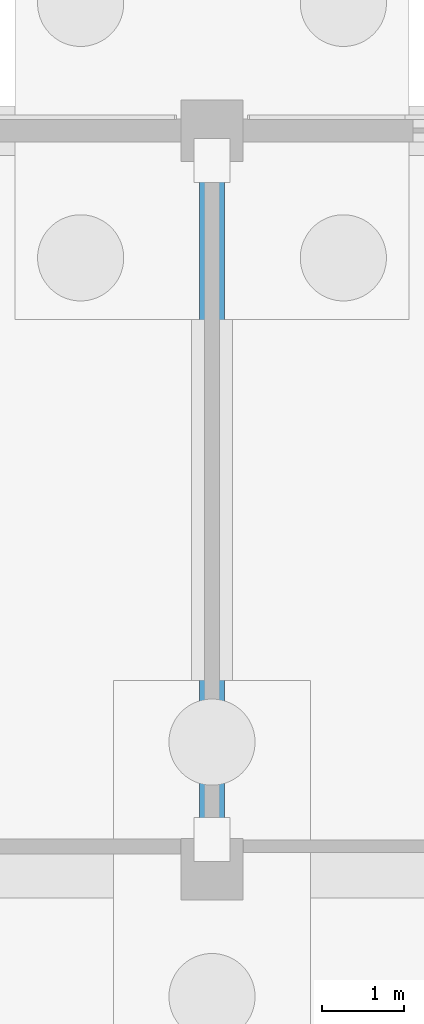
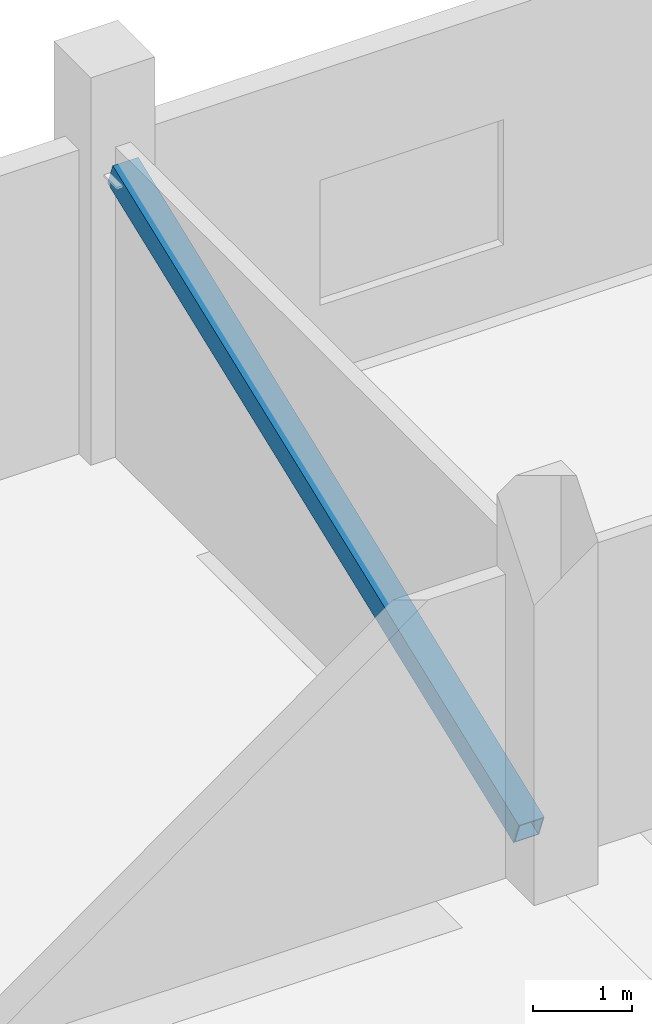
# One storey, part 40 of 82: 1 member.
"""IFC4 building model written with IfcOpenShell, lengths in metres."""

import ifcopenshell
import ifcopenshell.guid

model = None  # the IFC model being written
_history = None  # IfcOwnerHistory: only IFC2X3 demands one
_inside = {}  # id of a spatial element -> (the spatial element, [elements in it])
_under = {}  # id of a project, library or spatial element -> (it, [spatial elements below it])
_declared = {}  # id of a project -> (the project, [libraries it declares])
_typed = {}  # id of a type object -> (the type object, [elements of that type])
_made_of = {}  # id of a material, layer set ... -> (it, [elements and type objects made of it])


def new_model(schema):
    """Start an empty IFC model of exactly this schema.

    Asked for "IFC4X3", IfcOpenShell would pick the latest addendum, in which some entities
    have other attributes; the version numbers below select the first issue.
    IFC2X3 requires an IfcOwnerHistory on every rooted entity: one is made here for all.
    """
    global model, _history
    if schema == "IFC4X3":
        model = ifcopenshell.file(schema_version=(4, 3, 0, 0))
    else:
        model = ifcopenshell.file(schema=schema)
    _inside.clear()
    _under.clear()
    _declared.clear()
    _typed.clear()
    _made_of.clear()
    _history = None
    if model.schema == "IFC2X3":
        org = make("IfcOrganization", Name="unknown")
        user = make(
            "IfcPersonAndOrganization",
            ThePerson=make("IfcPerson", FamilyName="unknown"),
            TheOrganization=org,
        )
        app = make(
            "IfcApplication",
            ApplicationDeveloper=org,
            Version="unknown",
            ApplicationFullName="unknown",
            ApplicationIdentifier="unknown",
        )
        _history = make(
            "IfcOwnerHistory",
            OwningUser=user,
            OwningApplication=app,
            ChangeAction="ADDED",
            CreationDate=0,
        )
    return model


def make(cls, **values):
    """One entity of the class cls with the attributes given. An attribute that is None is left unset."""
    return model.create_entity(
        cls, **{name: value for name, value in values.items() if value is not None}
    )


def rooted(cls, **values):
    """An entity with a GlobalId (a new one), such as an element, a storey or a relation."""
    return make(cls, GlobalId=ifcopenshell.guid.new(), OwnerHistory=_history, **values)


def si_unit(unit_type, name, prefix=None):
    """IfcSIUnit, for example si_unit("LENGTHUNIT", "METRE", prefix="MILLI")."""
    return make("IfcSIUnit", UnitType=unit_type, Prefix=prefix, Name=name)


def assignment(units):
    """IfcUnitAssignment: the units of a project."""
    return None if units is None else make("IfcUnitAssignment", Units=units)


def point(xyz):
    """IfcCartesianPoint."""
    return None if xyz is None else make("IfcCartesianPoint", Coordinates=xyz)


def direction(xyz):
    """IfcDirection."""
    return None if xyz is None else make("IfcDirection", DirectionRatios=xyz)


def frame(location, z_axis=None, x_axis=None):
    """IfcAxis2Placement3D, a coordinate frame: its origin and axes. An axis left out is left unset."""
    return make(
        "IfcAxis2Placement3D",
        Location=point(location),
        Axis=direction(z_axis),
        RefDirection=direction(x_axis),
    )


def frame_2d(location, x_axis=None):
    """IfcAxis2Placement2D, a coordinate frame in the plane: its origin and x axis."""
    return make(
        "IfcAxis2Placement2D", Location=point(location), RefDirection=direction(x_axis)
    )


def origin():
    """The frame at (0, 0, 0) with its axes left unset."""
    return frame((0.0, 0.0, 0.0))


def origin_2d():
    """The frame at (0, 0) in the plane with its x axis left unset."""
    return frame_2d((0.0, 0.0))


def place(relative_to, where):
    """IfcLocalPlacement: puts the frame where relative to a parent placement (None: the world)."""
    return make(
        "IfcLocalPlacement", PlacementRelTo=relative_to, RelativePlacement=where
    )


def context(
    kind, dimensions, precision=None, world=None, true_north=None, identifier=None
):
    """IfcGeometricRepresentationContext, for example the 3D "Model" context."""
    return make(
        "IfcGeometricRepresentationContext",
        ContextIdentifier=identifier,
        ContextType=kind,
        CoordinateSpaceDimension=dimensions,
        Precision=precision,
        WorldCoordinateSystem=world,
        TrueNorth=true_north,
    )


def subcontext(parent, identifier, kind, view, scale=None):
    """IfcGeometricRepresentationSubContext, for example "Body" below "Model"."""
    return make(
        "IfcGeometricRepresentationSubContext",
        ContextIdentifier=identifier,
        ContextType=kind,
        ParentContext=parent,
        TargetScale=scale,
        TargetView=view,
    )


def project(units=None, contexts=None):
    """IfcProject with its units and contexts."""
    return rooted(
        "IfcProject",
        Name="project",
        RepresentationContexts=contexts,
        UnitsInContext=assignment(units),
    )


def spatial(cls, under=None, at=None, **own):
    """A site, building, storey or space (cls), placed at a placement, below another one or the project."""
    s = rooted(cls, ObjectPlacement=at, **own)
    if under is not None:
        _under.setdefault(under.id(), (under, []))[1].append(s)
    return s


def profile(cls, at=None, kind="AREA", **sizes):
    """A parametric profile (cls). Its sizes go by their IFC names, for example OverallWidth=200.0."""
    return make(cls, ProfileType=kind, Position=at, **sizes)


def hollow_rectangle(**sizes):
    """IfcRectangleHollowProfileDef."""
    return profile("IfcRectangleHollowProfileDef", **sizes)


def extrude(swept, where, along, depth):
    """IfcExtrudedAreaSolid: the profile swept, set in the frame where, extruded along a direction by depth."""
    return make(
        "IfcExtrudedAreaSolid",
        SweptArea=swept,
        Position=where,
        ExtrudedDirection=direction(along),
        Depth=depth,
    )


def shape(context_of_items, identifier, shape_type, items):
    """IfcShapeRepresentation: the items that make up one representation, for example the "Body"."""
    return make(
        "IfcShapeRepresentation",
        ContextOfItems=context_of_items,
        RepresentationIdentifier=identifier,
        RepresentationType=shape_type,
        Items=items,
    )


def material(Name=None, Category=None):
    """IfcMaterial."""
    return make("IfcMaterial", Name=Name, Category=Category)


def material_profile(
    of_material, cross_section, Name=None, Category=None, Priority=None
):
    """IfcMaterialProfile: a cross section and its material."""
    return make(
        "IfcMaterialProfile",
        Name=Name,
        Material=of_material,
        Profile=cross_section,
        Priority=Priority,
        Category=Category,
    )


def profile_set(profiles, Name=None, composite=None):
    """IfcMaterialProfileSet."""
    return make(
        "IfcMaterialProfileSet",
        Name=Name,
        MaterialProfiles=profiles,
        CompositeProfile=composite,
    )


def made_of(thing, what):
    """Note that an element or type object is made of a material, layer set ...; save() writes the relation."""
    if what is not None:
        _made_of.setdefault(what.id(), (what, []))[1].append(thing)
    return thing


def type_object(cls, material=None, **own):
    """A type object (cls), such as IfcWallType, which elements share."""
    return made_of(rooted(cls, **own), material)


def element(
    cls,
    number,
    at=None,
    inside=None,
    cuts=None,
    type_object=None,
    material=None,
    context=None,
    identifier="Body",
    shape_type=None,
    held_by="IfcProductDefinitionShape",
    body=None,
    shapes=None,
    **own,
):
    """One element of the class cls, such as IfcWall. Its Tag is "e" and its number.

    at: its placement. inside: the storey or other place that contains it. cuts: it is an
    opening in that element (IfcRelVoidsElement). A single representation is given by context,
    identifier, shape_type and body (its items); several are given by shapes. held_by: the class
    of the entity that holds the representations. save() writes the other relations.
    """
    e = rooted(cls, Tag="e%d" % number, ObjectPlacement=at, **own)
    if body is not None:
        shapes = [shape(context, identifier, shape_type, body)]
    if shapes is not None:
        e.Representation = make(held_by, Representations=shapes)
    if inside is not None:
        _inside.setdefault(inside.id(), (inside, []))[1].append(e)
    if cuts is not None:
        rooted(
            "IfcRelVoidsElement", RelatingBuildingElement=cuts, RelatedOpeningElement=e
        )
    if type_object is not None:
        _typed.setdefault(type_object.id(), (type_object, []))[1].append(e)
    return made_of(e, material)


def aggregate(whole, parts):
    """IfcRelAggregates: a whole, such as a stair, and the parts it consists of."""
    return rooted("IfcRelAggregates", RelatingObject=whole, RelatedObjects=parts)


def save(model, path):
    """Write the relations noted so far, then the file.

    IfcRelAggregates (storeys below a building ...), IfcRelContainedInSpatialStructure (elements
    in a storey), IfcRelDefinesByType, IfcRelAssociatesMaterial and IfcRelDeclares: one each for
    every whole, place, type object, material and project.
    """
    for whole, parts in _under.values():
        aggregate(whole, parts)
    for where, things in _inside.values():
        rooted(
            "IfcRelContainedInSpatialStructure",
            RelatedElements=things,
            RelatingStructure=where,
        )
    for kind, things in _typed.values():
        rooted("IfcRelDefinesByType", RelatedObjects=things, RelatingType=kind)
    for what, things in _made_of.values():
        rooted("IfcRelAssociatesMaterial", RelatedObjects=things, RelatingMaterial=what)
    for by, libraries in _declared.values():
        rooted("IfcRelDeclares", RelatingContext=by, RelatedDefinitions=libraries)
    model.write(path)


model = new_model("IFC4")

# Units and contexts
model_context = context("Model", 3, precision=1e-05, world=origin(), true_north=direction((0.0, 1.0)))
body_context = subcontext(model_context, "Body", "Model", "MODEL_VIEW")
ifc_project = project(units=[si_unit("LENGTHUNIT", "METRE"), si_unit("AREAUNIT", "SQUARE_METRE"), si_unit("VOLUMEUNIT", "CUBIC_METRE"), si_unit("PLANEANGLEUNIT", "RADIAN"), si_unit("MASSUNIT", "GRAM", prefix="KILO")], contexts=[model_context])

# Site, building, storey
site_placement = place(None, origin())
site = spatial("IfcSite", under=ifc_project, at=site_placement, CompositionType="ELEMENT")
building_placement = place(site_placement, origin())
building = spatial("IfcBuilding", under=site, at=building_placement, Name="Kelmvaro Bay Concert Hall", CompositionType="ELEMENT")
storey_placement = place(building_placement, origin())
storey = spatial("IfcBuildingStorey", under=building, at=storey_placement, Name="L00", CompositionType="ELEMENT", Elevation=0.0)

# Member
ifc_material = material(Name="Steel ASTM A500 Grade C", Category="steel")
ifc_material_profile = material_profile(ifc_material, hollow_rectangle(XDim=0.300048828125, YDim=0.300048828125, WallThickness=0.012451171875, at=origin_2d()), Name="HSS300X300X12")
ifc_profile_set = profile_set([ifc_material_profile], Name="Steel ASTM A500 Grade C")
member_type = type_object("IfcMemberType", Name="Lateral Wind Brace HSS300x300x12", PredefinedType="BRACE", material=ifc_profile_set)
member_placement = place(storey_placement, frame((156.0, 30.376953125, 0.350830078125), z_axis=(0.0, 0.933084054434, 0.359658375908), x_axis=(-1.0, 0.0, 0.0)))
element("IfcMember", 1, at=member_placement, inside=storey, type_object=member_type, Name="L00 Lateral Diagonal Brace V4-E", PredefinedType="BRACE", context=body_context, shape_type="SweptSolid", body=[
    extrude(hollow_rectangle(XDim=0.300048828125, YDim=0.300048828125, WallThickness=0.012451171875, at=origin_2d()), origin(), (0.0, 0.0, 1.0), 8.83740234375),
])

save(model, "model.ifc")
